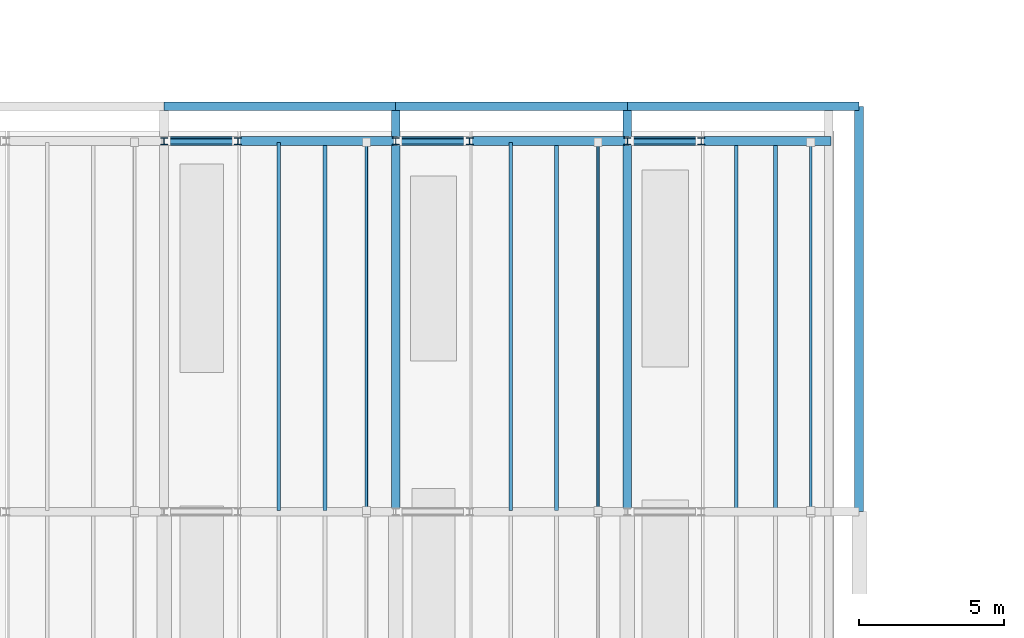
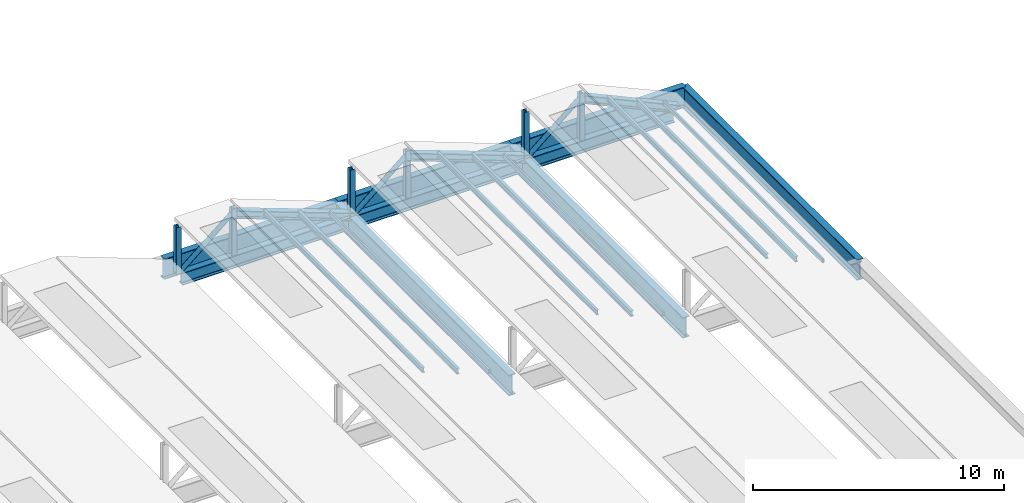
# One storey, part 9 of 14: 21 members, 9 beams.
"""IFC4 building model written with IfcOpenShell, lengths in metres."""

from ifc_helpers import new_model, si_unit, direction, frame, origin, origin_2d, place, context, subcontext, project, spatial, hollow_rectangle, hollow_circle, i_section, extrude, material, material_profile, profile_set, type_object, element, save


model = new_model("IFC4")

# Units and contexts
model_context = context("Model", 3, precision=1e-05, world=origin(), true_north=direction((0.0, 1.0)))
body_context = subcontext(model_context, "Body", "Model", "MODEL_VIEW")
ifc_project = project(units=[si_unit("LENGTHUNIT", "METRE"), si_unit("AREAUNIT", "SQUARE_METRE"), si_unit("VOLUMEUNIT", "CUBIC_METRE"), si_unit("PLANEANGLEUNIT", "RADIAN"), si_unit("MASSUNIT", "GRAM", prefix="KILO")], contexts=[model_context])

# Site, building, storey
site_placement = place(None, origin())
site = spatial("IfcSite", under=ifc_project, at=site_placement, CompositionType="ELEMENT")
building_placement = place(site_placement, origin())
building = spatial("IfcBuilding", under=site, at=building_placement, Name="Vekula Escarpment Museum", CompositionType="ELEMENT")
storey_placement = place(building_placement, frame((0.0, 0.0, 30.60009765625)))
storey = spatial("IfcBuildingStorey", under=building, at=storey_placement, Name="RF", CompositionType="ELEMENT", Elevation=30.60009765625)

# Beams
ifc_material_1 = material(Name="Steel S355", Category="steel")
ifc_material_profile_1 = material_profile(ifc_material_1, i_section(OverallWidth=0.300048828125, OverallDepth=0.60009765625, WebThickness=0.015380859375, FlangeThickness=0.030029296875, FilletRadius=0.027099609375, at=origin_2d()), Name="HEB 600")
ifc_profile_set_1 = profile_set([ifc_material_profile_1], Name="Steel S355")
beam_type_1 = type_object("IfcBeamType", Name="BM-GIRD-HEB600", PredefinedType="BEAM", material=ifc_profile_set_1)
for number, where, z_axis, x_axis, name in (
    (1, (102.14990234375, 89.199951171875, -2.550048828125), (1.0, 0.0, 0.0), (0.0, 1.0, 0.0), "Sawtooth Lantern Edge Girder RF 2469"),
    (2, (110.14990234375, 89.199951171875, -2.550048828125), (1.0, 0.0, 0.0), (0.0, 1.0, 0.0), "Sawtooth Lantern Edge Girder RF 2470"),
):
    element("IfcBeam", number, at=place(storey_placement, frame(where, z_axis=z_axis, x_axis=x_axis)), inside=storey, type_object=beam_type_1, Name=name, PredefinedType="BEAM", context=body_context, shape_type="SweptSolid", body=[
        extrude(i_section(OverallWidth=0.300048828125, OverallDepth=0.60009765625, WebThickness=0.015380859375, FlangeThickness=0.030029296875, FilletRadius=0.027099609375, at=origin_2d()), origin(), (0.0, 0.0, 1.0), 7.7001953125),
    ])
beam_placement = place(storey_placement, frame((118.14990234375, 89.199951171875, -2.550048828125), z_axis=(1.0, 0.0, 0.0), x_axis=(0.0, 1.0, 0.0)))
element("IfcBeam", 3, at=beam_placement, inside=storey, type_object=beam_type_1, Name="Sawtooth Lantern Edge Girder RF 2471", PredefinedType="BEAM", context=body_context, shape_type="SweptSolid", body=[
    extrude(i_section(OverallWidth=0.300048828125, OverallDepth=0.60009765625, WebThickness=0.015380859375, FlangeThickness=0.030029296875, FilletRadius=0.027099609375, at=origin_2d()), origin(), (0.0, 0.0, 1.0), 6.650146484375),
])
ifc_material_2 = material(Name="Steel S355", Category="steel")
ifc_material_profile_2 = material_profile(ifc_material_2, i_section(OverallWidth=0.300048828125, OverallDepth=1.0, WebThickness=0.01904296875, FlangeThickness=0.035888671875, FilletRadius=0.030029296875, at=origin_2d()), Name="HEB 1000")
ifc_profile_set_2 = profile_set([ifc_material_profile_2], Name="Steel S355")
beam_type_2 = type_object("IfcBeamType", Name="BM-TRUSS-CHORD-BOT", PredefinedType="BEAM", material=ifc_profile_set_2)
for number, where, z_axis, x_axis, name in (
    (4, (102.0, 90.39990234375, -2.75), (1.0, 0.0, 0.0), (0.0, 1.0, 0.0), "Roof Tie Girder RF 2455"),
    (5, (110.0, 90.39990234375, -2.75), (1.0, 0.0, 0.0), (0.0, 1.0, 0.0), "Roof Tie Girder RF 2456"),
    (6, (118.0, 90.39990234375, -2.75), (1.0, 0.0, 0.0), (0.0, 1.0, 0.0), "Roof Tie Girder RF 2457"),
):
    element("IfcBeam", number, at=place(storey_placement, frame(where, z_axis=z_axis, x_axis=x_axis)), inside=storey, type_object=beam_type_2, Name=name, PredefinedType="BEAM", context=body_context, shape_type="SweptSolid", body=[
        extrude(i_section(OverallWidth=0.300048828125, OverallDepth=1.0, WebThickness=0.01904296875, FlangeThickness=0.035888671875, FilletRadius=0.030029296875, at=origin_2d()), origin(), (0.0, 0.0, 1.0), 8.0),
    ])
for number, where, z_axis, x_axis, name in (
    (7, (110.0, 76.39990234375, -2.75), (0.0, 1.0, 0.0), (-1.0, 0.0, 0.0), "Sawtooth Tie Girder RF 2491"),
    (8, (118.0, 76.39990234375, -2.75), (0.0, 1.0, 0.0), (-1.0, 0.0, 0.0), "Sawtooth Tie Girder RF 2494"),
    (9, (126.0, 76.39990234375, -2.75), (0.0, 1.0, 0.0), (-1.0, 0.0, 0.0), "Sawtooth Tie Girder RF 2497"),
):
    element("IfcBeam", number, at=place(storey_placement, frame(where, z_axis=z_axis, x_axis=x_axis)), inside=storey, type_object=beam_type_2, Name=name, PredefinedType="BEAM", context=body_context, shape_type="SweptSolid", body=[
        extrude(i_section(OverallWidth=0.300048828125, OverallDepth=1.0, WebThickness=0.01904296875, FlangeThickness=0.035888671875, FilletRadius=0.030029296875, at=origin_2d()), origin(), (0.0, 0.0, 1.0), 14.0),
    ])

# Members
ifc_material_3 = material(Name="Steel S355", Category="steel")
ifc_material_profile_3 = material_profile(ifc_material_3, i_section(OverallWidth=0.1201171875, OverallDepth=0.239990234375, WebThickness=0.006103515625, FlangeThickness=0.009765625, FilletRadius=0.014892578125, at=origin_2d()), Name="IPE 240")
ifc_profile_set_3 = profile_set([ifc_material_profile_3], Name="Steel S355")
member_type_1 = type_object("IfcMemberType", Name="MB-PURL-IPE240", PredefinedType="PURLIN", material=ifc_profile_set_3)
for number, where, z_axis, x_axis, name in (
    (10, (105.965087890625, 76.449951171875, -0.66015625), (0.0, 1.0, 0.0), (-1.0, 0.0, 0.0), "Sawtooth Roof Purlin 059"),
    (11, (113.965087890625, 76.449951171875, -0.66015625), (0.0, 1.0, 0.0), (-1.0, 0.0, 0.0), "Sawtooth Roof Purlin 072"),
    (12, (121.764892578125, 76.449951171875, -0.66015625), (0.0, 1.0, 0.0), (-1.0, 0.0, 0.0), "Sawtooth Roof Purlin 085"),
):
    element("IfcMember", number, at=place(storey_placement, frame(where, z_axis=z_axis, x_axis=x_axis)), inside=storey, type_object=member_type_1, Name=name, PredefinedType="PURLIN", context=body_context, shape_type="SweptSolid", body=[
        extrude(i_section(OverallWidth=0.1201171875, OverallDepth=0.239990234375, WebThickness=0.006103515625, FlangeThickness=0.009765625, FilletRadius=0.014892578125, at=origin_2d()), origin(), (0.0, 0.0, 1.0), 12.699951171875),
    ])
ifc_material_4 = material(Name="Steel S355", Category="steel")
ifc_material_profile_4 = material_profile(ifc_material_4, i_section(OverallWidth=0.135009765625, OverallDepth=0.27001953125, WebThickness=0.006591796875, FlangeThickness=0.01025390625, FilletRadius=0.014892578125, at=origin_2d()), Name="IPE 270")
ifc_profile_set_4 = profile_set([ifc_material_profile_4], Name="Steel S355")
member_type_2 = type_object("IfcMemberType", Name="MB-PURL-IPE270", PredefinedType="PURLIN", material=ifc_profile_set_4)
for number, where, z_axis, x_axis, name in (
    (13, (107.554931640625, 76.449951171875, -1.275146484375), (0.0, 1.0, 0.0), (-1.0, 0.0, 0.0), "Sawtooth Roof Purlin 062"),
    (14, (115.554931640625, 76.449951171875, -1.275146484375), (0.0, 1.0, 0.0), (-1.0, 0.0, 0.0), "Sawtooth Roof Purlin 075"),
    (15, (123.114990234375, 76.449951171875, -1.275146484375), (0.0, 1.0, 0.0), (-1.0, 0.0, 0.0), "Sawtooth Roof Purlin 088"),
):
    element("IfcMember", number, at=place(storey_placement, frame(where, z_axis=z_axis, x_axis=x_axis)), inside=storey, type_object=member_type_2, Name=name, PredefinedType="PURLIN", context=body_context, shape_type="SweptSolid", body=[
        extrude(i_section(OverallWidth=0.135009765625, OverallDepth=0.27001953125, WebThickness=0.006591796875, FlangeThickness=0.01025390625, FilletRadius=0.014892578125, at=origin_2d()), origin(), (0.0, 0.0, 1.0), 12.699951171875),
    ])
ifc_material_5 = material(Name="Steel S355", Category="steel")
ifc_material_profile_5 = material_profile(ifc_material_5, hollow_rectangle(XDim=0.10009765625, YDim=0.199951171875, WallThickness=0.008056640625, InnerFilletRadius=0.008056640625, OuterFilletRadius=0.01611328125, at=origin_2d()), Name="RHS 200x100x8")
ifc_profile_set_5 = profile_set([ifc_material_profile_5], Name="Steel S355")
member_type_3 = type_object("IfcMemberType", Name="MB-PURL-RHS200", PredefinedType="PURLIN", material=ifc_profile_set_5)
for number, where, z_axis, x_axis, name in (
    (16, (108.986083984375, 76.449951171875, -1.780029296875), (0.0, 1.0, 0.0), (-1.0, 0.0, 0.0), "Sawtooth Roof Purlin 065"),
    (17, (116.986083984375, 76.449951171875, -1.780029296875), (0.0, 1.0, 0.0), (-1.0, 0.0, 0.0), "Sawtooth Roof Purlin 078"),
    (18, (124.330078125, 76.449951171875, -1.780029296875), (0.0, 1.0, 0.0), (-1.0, 0.0, 0.0), "Sawtooth Roof Purlin 091"),
):
    element("IfcMember", number, at=place(storey_placement, frame(where, z_axis=z_axis, x_axis=x_axis)), inside=storey, type_object=member_type_3, Name=name, PredefinedType="PURLIN", context=body_context, shape_type="SweptSolid", body=[
        extrude(hollow_rectangle(XDim=0.10009765625, YDim=0.199951171875, WallThickness=0.008056640625, InnerFilletRadius=0.008056640625, OuterFilletRadius=0.01611328125, at=origin_2d()), origin(), (0.0, 0.0, 1.0), 12.699951171875),
    ])
ifc_material_6 = material(Name="Steel S355", Category="steel")
ifc_material_profile_6 = material_profile(ifc_material_6, i_section(OverallWidth=0.300048828125, OverallDepth=0.360107421875, WebThickness=0.012451171875, FlangeThickness=0.0224609375, FilletRadius=0.027099609375, at=origin_2d()), Name="HEB 360")
ifc_profile_set_6 = profile_set([ifc_material_profile_6], Name="Steel S355")
member_type_4 = type_object("IfcMemberType", Name="MB-SAW-CHORD", PredefinedType="CHORD", material=ifc_profile_set_6)
for number, where, z_axis, x_axis, name in (
    (19, (104.550048828125, 89.199951171875, -0.260009765625), (0.938223943436, 0.0, -0.346028657721), (0.0, 1.0, 0.0), "Sawtooth Rafter 056"),
    (20, (112.550048828125, 89.199951171875, -0.260009765625), (0.938223943436, 0.0, -0.346028657721), (0.0, 1.0, 0.0), "Sawtooth Rafter 069"),
):
    element("IfcMember", number, at=place(storey_placement, frame(where, z_axis=z_axis, x_axis=x_axis)), inside=storey, type_object=member_type_4, Name=name, PredefinedType="CHORD", context=body_context, shape_type="SweptSolid", body=[
        extrude(i_section(OverallWidth=0.300048828125, OverallDepth=0.360107421875, WebThickness=0.012451171875, FlangeThickness=0.0224609375, FilletRadius=0.027099609375, at=origin_2d()), origin(), (0.0, 0.0, 1.0), 5.808837890625),
    ])
member_placement = place(storey_placement, frame((120.550048828125, 89.199951171875, -0.260009765625), z_axis=(0.909581861474, 0.0, -0.415524773361), x_axis=(0.0, 1.0, 0.0)))
element("IfcMember", 21, at=member_placement, inside=storey, type_object=member_type_4, Name="Sawtooth Rafter 082", PredefinedType="CHORD", context=body_context, shape_type="SweptSolid", body=[
    extrude(i_section(OverallWidth=0.300048828125, OverallDepth=0.360107421875, WebThickness=0.012451171875, FlangeThickness=0.0224609375, FilletRadius=0.027099609375, at=origin_2d()), origin(), (0.0, 0.0, 1.0), 4.837158203125),
])
ifc_material_7 = material(Name="Steel S355", Category="steel")
ifc_material_profile_7 = material_profile(ifc_material_7, hollow_circle(Radius=0.109619140625, WallThickness=0.010009765625, at=origin_2d()), Name="CHS 219.1x10")
ifc_profile_set_7 = profile_set([ifc_material_profile_7], Name="Steel S355")
member_type_5 = type_object("IfcMemberType", Name="MB-SAW-DIAG", PredefinedType="BRACE", material=ifc_profile_set_7)
for number, where, z_axis, x_axis, name in (
    (22, (102.080078125, 89.199951171875, -2.27001953125), (0.767947002011, 0.0, 0.64051338948), (0.0, 1.0, 0.0), "Sawtooth Roof Truss Diagonal 056"),
    (23, (110.080078125, 89.199951171875, -2.27001953125), (0.767947002011, 0.0, 0.64051338948), (0.0, 1.0, 0.0), "Sawtooth Roof Truss Diagonal 069"),
    (24, (118.080078125, 89.199951171875, -2.27001953125), (0.767947002011, 0.0, 0.64051338948), (0.0, 1.0, 0.0), "Sawtooth Roof Truss Diagonal 082"),
):
    element("IfcMember", number, at=place(storey_placement, frame(where, z_axis=z_axis, x_axis=x_axis)), inside=storey, type_object=member_type_5, Name=name, PredefinedType="BRACE", context=body_context, shape_type="SweptSolid", body=[
        extrude(hollow_circle(Radius=0.109619140625, WallThickness=0.010009765625, at=origin_2d()), origin(), (0.0, 0.0, 1.0), 3.13818359375),
    ])
ifc_material_8 = material(Name="Steel S355", Category="steel")
ifc_material_profile_8 = material_profile(ifc_material_8, i_section(OverallWidth=0.239990234375, OverallDepth=0.239990234375, WebThickness=0.010009765625, FlangeThickness=0.01708984375, FilletRadius=0.02099609375, at=origin_2d()), Name="HEB 240")
ifc_profile_set_8 = profile_set([ifc_material_profile_8], Name="Steel S355")
member_type_6 = type_object("IfcMemberType", Name="MB-SAW-POST", PredefinedType="STRUT", material=ifc_profile_set_8)
for number, where, z_axis, x_axis, name in (
    (25, (102.0, 89.199951171875, -2.27001953125), (0.0, 0.0, 1.0), (1.0, 0.0, 0.0), "Sawtooth North Post 056"),
    (26, (104.550048828125, 89.199951171875, -2.27001953125), (0.0, 0.0, 1.0), (1.0, 0.0, 0.0), "Sawtooth Monitor Post 056"),
    (27, (110.0, 89.199951171875, -2.27001953125), (0.0, 0.0, 1.0), (1.0, 0.0, 0.0), "Sawtooth North Post 069"),
    (28, (112.550048828125, 89.199951171875, -2.27001953125), (0.0, 0.0, 1.0), (1.0, 0.0, 0.0), "Sawtooth Monitor Post 069"),
    (29, (118.0, 89.199951171875, -2.27001953125), (0.0, 0.0, 1.0), (1.0, 0.0, 0.0), "Sawtooth North Post 082"),
    (30, (120.550048828125, 89.199951171875, -2.27001953125), (0.0, 0.0, 1.0), (1.0, 0.0, 0.0), "Sawtooth Monitor Post 082"),
):
    element("IfcMember", number, at=place(storey_placement, frame(where, z_axis=z_axis, x_axis=x_axis)), inside=storey, type_object=member_type_6, Name=name, PredefinedType="STRUT", context=body_context, shape_type="SweptSolid", body=[
        extrude(i_section(OverallWidth=0.239990234375, OverallDepth=0.239990234375, WebThickness=0.010009765625, FlangeThickness=0.01708984375, FilletRadius=0.02099609375, at=origin_2d()), origin(), (0.0, 0.0, 1.0), 2.2900390625),
    ])

save(model, "model.ifc")
